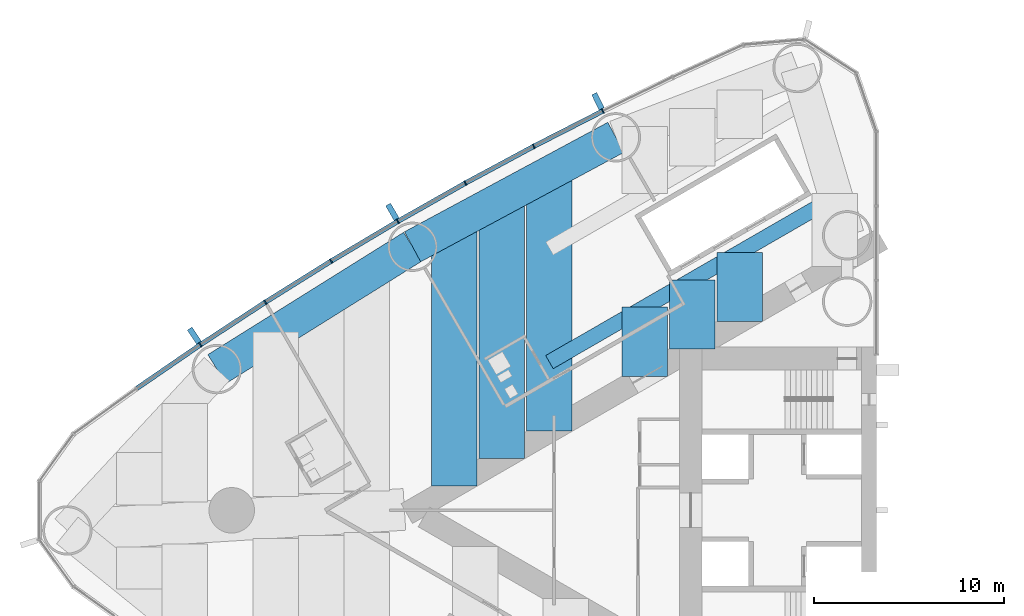
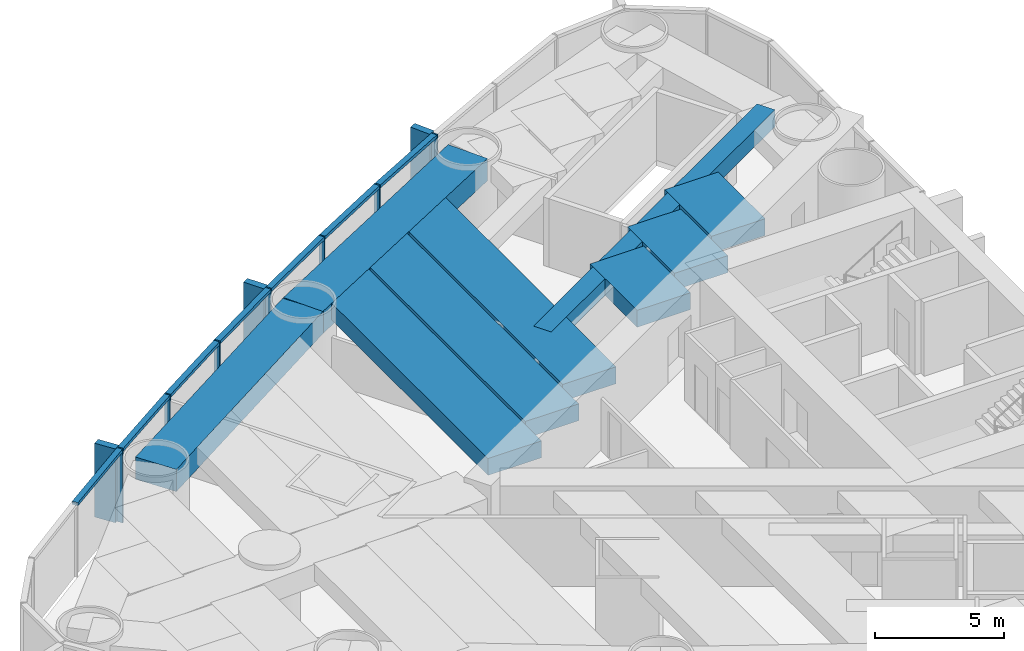
# One storey, part 4 of 18: 17 members, 9 beams, 1 element without a shape of its own.
"""IFC4 building model written with IfcOpenShell, lengths in metres."""

import ifcopenshell
import ifcopenshell.guid

model = None  # the IFC model being written
_history = None  # IfcOwnerHistory: only IFC2X3 demands one
_inside = {}  # id of a spatial element -> (the spatial element, [elements in it])
_under = {}  # id of a project, library or spatial element -> (it, [spatial elements below it])
_declared = {}  # id of a project -> (the project, [libraries it declares])
_typed = {}  # id of a type object -> (the type object, [elements of that type])
_made_of = {}  # id of a material, layer set ... -> (it, [elements and type objects made of it])


def new_model(schema):
    """Start an empty IFC model of exactly this schema.

    Asked for "IFC4X3", IfcOpenShell would pick the latest addendum, in which some entities
    have other attributes; the version numbers below select the first issue.
    IFC2X3 requires an IfcOwnerHistory on every rooted entity: one is made here for all.
    """
    global model, _history
    if schema == "IFC4X3":
        model = ifcopenshell.file(schema_version=(4, 3, 0, 0))
    else:
        model = ifcopenshell.file(schema=schema)
    _inside.clear()
    _under.clear()
    _declared.clear()
    _typed.clear()
    _made_of.clear()
    _history = None
    if model.schema == "IFC2X3":
        org = make("IfcOrganization", Name="unknown")
        user = make(
            "IfcPersonAndOrganization",
            ThePerson=make("IfcPerson", FamilyName="unknown"),
            TheOrganization=org,
        )
        app = make(
            "IfcApplication",
            ApplicationDeveloper=org,
            Version="unknown",
            ApplicationFullName="unknown",
            ApplicationIdentifier="unknown",
        )
        _history = make(
            "IfcOwnerHistory",
            OwningUser=user,
            OwningApplication=app,
            ChangeAction="ADDED",
            CreationDate=0,
        )
    return model


def make(cls, **values):
    """One entity of the class cls with the attributes given. An attribute that is None is left unset."""
    return model.create_entity(
        cls, **{name: value for name, value in values.items() if value is not None}
    )


def rooted(cls, **values):
    """An entity with a GlobalId (a new one), such as an element, a storey or a relation."""
    return make(cls, GlobalId=ifcopenshell.guid.new(), OwnerHistory=_history, **values)


def si_unit(unit_type, name, prefix=None):
    """IfcSIUnit, for example si_unit("LENGTHUNIT", "METRE", prefix="MILLI")."""
    return make("IfcSIUnit", UnitType=unit_type, Prefix=prefix, Name=name)


def assignment(units):
    """IfcUnitAssignment: the units of a project."""
    return None if units is None else make("IfcUnitAssignment", Units=units)


def point(xyz):
    """IfcCartesianPoint."""
    return None if xyz is None else make("IfcCartesianPoint", Coordinates=xyz)


def direction(xyz):
    """IfcDirection."""
    return None if xyz is None else make("IfcDirection", DirectionRatios=xyz)


def frame(location, z_axis=None, x_axis=None):
    """IfcAxis2Placement3D, a coordinate frame: its origin and axes. An axis left out is left unset."""
    return make(
        "IfcAxis2Placement3D",
        Location=point(location),
        Axis=direction(z_axis),
        RefDirection=direction(x_axis),
    )


def frame_2d(location, x_axis=None):
    """IfcAxis2Placement2D, a coordinate frame in the plane: its origin and x axis."""
    return make(
        "IfcAxis2Placement2D", Location=point(location), RefDirection=direction(x_axis)
    )


def origin():
    """The frame at (0, 0, 0) with its axes left unset."""
    return frame((0.0, 0.0, 0.0))


def origin_2d():
    """The frame at (0, 0) in the plane with its x axis left unset."""
    return frame_2d((0.0, 0.0))


def place(relative_to, where):
    """IfcLocalPlacement: puts the frame where relative to a parent placement (None: the world)."""
    return make(
        "IfcLocalPlacement", PlacementRelTo=relative_to, RelativePlacement=where
    )


def context(
    kind, dimensions, precision=None, world=None, true_north=None, identifier=None
):
    """IfcGeometricRepresentationContext, for example the 3D "Model" context."""
    return make(
        "IfcGeometricRepresentationContext",
        ContextIdentifier=identifier,
        ContextType=kind,
        CoordinateSpaceDimension=dimensions,
        Precision=precision,
        WorldCoordinateSystem=world,
        TrueNorth=true_north,
    )


def subcontext(parent, identifier, kind, view, scale=None):
    """IfcGeometricRepresentationSubContext, for example "Body" below "Model"."""
    return make(
        "IfcGeometricRepresentationSubContext",
        ContextIdentifier=identifier,
        ContextType=kind,
        ParentContext=parent,
        TargetScale=scale,
        TargetView=view,
    )


def project(units=None, contexts=None):
    """IfcProject with its units and contexts."""
    return rooted(
        "IfcProject",
        Name="project",
        RepresentationContexts=contexts,
        UnitsInContext=assignment(units),
    )


def spatial(cls, under=None, at=None, **own):
    """A site, building, storey or space (cls), placed at a placement, below another one or the project."""
    s = rooted(cls, ObjectPlacement=at, **own)
    if under is not None:
        _under.setdefault(under.id(), (under, []))[1].append(s)
    return s


def profile(cls, at=None, kind="AREA", **sizes):
    """A parametric profile (cls). Its sizes go by their IFC names, for example OverallWidth=200.0."""
    return make(cls, ProfileType=kind, Position=at, **sizes)


def rectangle(**sizes):
    """IfcRectangleProfileDef."""
    return profile("IfcRectangleProfileDef", **sizes)


def hollow_rectangle(**sizes):
    """IfcRectangleHollowProfileDef."""
    return profile("IfcRectangleHollowProfileDef", **sizes)


def extrude(swept, where, along, depth):
    """IfcExtrudedAreaSolid: the profile swept, set in the frame where, extruded along a direction by depth."""
    return make(
        "IfcExtrudedAreaSolid",
        SweptArea=swept,
        Position=where,
        ExtrudedDirection=direction(along),
        Depth=depth,
    )


def shape(context_of_items, identifier, shape_type, items):
    """IfcShapeRepresentation: the items that make up one representation, for example the "Body"."""
    return make(
        "IfcShapeRepresentation",
        ContextOfItems=context_of_items,
        RepresentationIdentifier=identifier,
        RepresentationType=shape_type,
        Items=items,
    )


def material(Name=None, Category=None):
    """IfcMaterial."""
    return make("IfcMaterial", Name=Name, Category=Category)


def material_profile(
    of_material, cross_section, Name=None, Category=None, Priority=None
):
    """IfcMaterialProfile: a cross section and its material."""
    return make(
        "IfcMaterialProfile",
        Name=Name,
        Material=of_material,
        Profile=cross_section,
        Priority=Priority,
        Category=Category,
    )


def profile_set(profiles, Name=None, composite=None):
    """IfcMaterialProfileSet."""
    return make(
        "IfcMaterialProfileSet",
        Name=Name,
        MaterialProfiles=profiles,
        CompositeProfile=composite,
    )


def made_of(thing, what):
    """Note that an element or type object is made of a material, layer set ...; save() writes the relation."""
    if what is not None:
        _made_of.setdefault(what.id(), (what, []))[1].append(thing)
    return thing


def type_object(cls, material=None, **own):
    """A type object (cls), such as IfcWallType, which elements share."""
    return made_of(rooted(cls, **own), material)


def element(
    cls,
    number,
    at=None,
    inside=None,
    cuts=None,
    type_object=None,
    material=None,
    context=None,
    identifier="Body",
    shape_type=None,
    held_by="IfcProductDefinitionShape",
    body=None,
    shapes=None,
    **own,
):
    """One element of the class cls, such as IfcWall. Its Tag is "e" and its number.

    at: its placement. inside: the storey or other place that contains it. cuts: it is an
    opening in that element (IfcRelVoidsElement). A single representation is given by context,
    identifier, shape_type and body (its items); several are given by shapes. held_by: the class
    of the entity that holds the representations. save() writes the other relations.
    """
    e = rooted(cls, Tag="e%d" % number, ObjectPlacement=at, **own)
    if body is not None:
        shapes = [shape(context, identifier, shape_type, body)]
    if shapes is not None:
        e.Representation = make(held_by, Representations=shapes)
    if inside is not None:
        _inside.setdefault(inside.id(), (inside, []))[1].append(e)
    if cuts is not None:
        rooted(
            "IfcRelVoidsElement", RelatingBuildingElement=cuts, RelatedOpeningElement=e
        )
    if type_object is not None:
        _typed.setdefault(type_object.id(), (type_object, []))[1].append(e)
    return made_of(e, material)


def aggregate(whole, parts):
    """IfcRelAggregates: a whole, such as a stair, and the parts it consists of."""
    return rooted("IfcRelAggregates", RelatingObject=whole, RelatedObjects=parts)


def save(model, path):
    """Write the relations noted so far, then the file.

    IfcRelAggregates (storeys below a building ...), IfcRelContainedInSpatialStructure (elements
    in a storey), IfcRelDefinesByType, IfcRelAssociatesMaterial and IfcRelDeclares: one each for
    every whole, place, type object, material and project.
    """
    for whole, parts in _under.values():
        aggregate(whole, parts)
    for where, things in _inside.values():
        rooted(
            "IfcRelContainedInSpatialStructure",
            RelatedElements=things,
            RelatingStructure=where,
        )
    for kind, things in _typed.values():
        rooted("IfcRelDefinesByType", RelatedObjects=things, RelatingType=kind)
    for what, things in _made_of.values():
        rooted("IfcRelAssociatesMaterial", RelatedObjects=things, RelatingMaterial=what)
    for by, libraries in _declared.values():
        rooted("IfcRelDeclares", RelatingContext=by, RelatedDefinitions=libraries)
    model.write(path)


model = new_model("IFC4")

# Units and contexts
model_context = context("Model", 3, precision=1e-05, world=origin(), true_north=direction((0.0, 1.0)))
body_context = subcontext(model_context, "Body", "Model", "MODEL_VIEW")
ifc_project = project(units=[si_unit("LENGTHUNIT", "METRE"), si_unit("AREAUNIT", "SQUARE_METRE"), si_unit("VOLUMEUNIT", "CUBIC_METRE"), si_unit("PLANEANGLEUNIT", "RADIAN"), si_unit("MASSUNIT", "GRAM", prefix="KILO")], contexts=[model_context])

# Site, building, storey
site_placement = place(None, origin())
site = spatial("IfcSite", under=ifc_project, at=site_placement, CompositionType="ELEMENT")
building_placement = place(site_placement, origin())
building = spatial("IfcBuilding", under=site, at=building_placement, Name="Lancet Gate Hotel", CompositionType="ELEMENT")
storey_placement = place(building_placement, frame((0.0, 0.0, 129.10009765625)))
storey = spatial("IfcBuildingStorey", under=building, at=storey_placement, Name="L34", CompositionType="ELEMENT", Elevation=129.10009765625)

# Curtain wall, members
ifc_material_1 = material(Name="Aluminium curtain wall", Category="aluminium")
curtain_wall_type = type_object("IfcCurtainWallType", Name="Tower unitised curtain wall", PredefinedType="USERDEFINED", material=ifc_material_1)
curtain_wall_placement = place(storey_placement, origin())
curtain_wall = element("IfcCurtainWall", 1, at=curtain_wall_placement, inside=storey, type_object=curtain_wall_type, Name="T1 L34 curtain wall 1", ObjectType="UNITISED CURTAIN WALL", PredefinedType="USERDEFINED")
ifc_material_2 = material(Name="Aluminium mullion", Category="aluminium")
ifc_material_profile_1 = material_profile(ifc_material_2, rectangle(XDim=0.06494140625, YDim=0.25, at=origin_2d()), Name="MULLION 65x250")
ifc_profile_set_1 = profile_set([ifc_material_profile_1], Name="Aluminium mullion")
member_type_1 = type_object("IfcMemberType", Name="Aluminium mullion 65x250", PredefinedType="MULLION", material=ifc_profile_set_1)
member_1_placement = place(storey_placement, frame((-41.935302734375, 21.053466796875, 0.0), z_axis=(0.0, 0.0, 1.0), x_axis=(-0.895339445458, -0.445384415317, 0.0)))
member_1 = element("IfcMember", 2, at=member_1_placement, type_object=member_type_1, Name="T1 L34 curtain wall 1 mullion 9", PredefinedType="MULLION", context=body_context, shape_type="SweptSolid", body=[
    extrude(rectangle(XDim=0.06494140625, YDim=0.25, at=origin_2d()), origin(), (0.0, 0.0, 1.0), 3.5),
])
member_2_placement = place(storey_placement, frame((-45.578857421875, 19.19189453125, 0.0), z_axis=(0.0, 0.0, 1.0), x_axis=(-0.885544335517, -0.46455487279, 0.0)))
member_2 = element("IfcMember", 3, at=member_2_placement, type_object=member_type_1, Name="T1 L34 curtain wall 1 mullion 10", PredefinedType="MULLION", context=body_context, shape_type="SweptSolid", body=[
    extrude(rectangle(XDim=0.06494140625, YDim=0.25, at=origin_2d()), origin(), (0.0, 0.0, 1.0), 3.5),
])
member_3_placement = place(storey_placement, frame((-49.181640625, 17.252197265625, 0.0), z_axis=(0.0, 0.0, 1.0), x_axis=(-0.875338819507, -0.48351003202, 0.0)))
member_3 = element("IfcMember", 4, at=member_3_placement, type_object=member_type_1, Name="T1 L34 curtain wall 1 mullion 11", PredefinedType="MULLION", context=body_context, shape_type="SweptSolid", body=[
    extrude(rectangle(XDim=0.06494140625, YDim=0.25, at=origin_2d()), origin(), (0.0, 0.0, 1.0), 3.5),
])
member_4_placement = place(storey_placement, frame((-52.74169921875, 15.2353515625, 0.0), z_axis=(0.0, 0.0, 1.0), x_axis=(-0.86472762718, -0.502241108226, 0.0)))
member_4 = element("IfcMember", 5, at=member_4_placement, type_object=member_type_1, Name="T1 L34 curtain wall 1 mullion 12", PredefinedType="MULLION", context=body_context, shape_type="SweptSolid", body=[
    extrude(rectangle(XDim=0.06494140625, YDim=0.25, at=origin_2d()), origin(), (0.0, 0.0, 1.0), 3.5),
])
member_5_placement = place(storey_placement, frame((-56.257568359375, 13.142333984375, 0.0), z_axis=(0.0, 0.0, 1.0), x_axis=(-0.853715676299, -0.52073942048, 0.0)))
member_5 = element("IfcMember", 6, at=member_5_placement, type_object=member_type_1, Name="T1 L34 curtain wall 1 mullion 13", PredefinedType="MULLION", context=body_context, shape_type="SweptSolid", body=[
    extrude(rectangle(XDim=0.06494140625, YDim=0.25, at=origin_2d()), origin(), (0.0, 0.0, 1.0), 3.5),
])
member_6_placement = place(storey_placement, frame((-59.7275390625, 10.974365234375, 0.0), z_axis=(0.0, 0.0, 1.0), x_axis=(-0.84230807036, -0.538996395727, 0.0)))
member_6 = element("IfcMember", 7, at=member_6_placement, type_object=member_type_1, Name="T1 L34 curtain wall 1 mullion 14", PredefinedType="MULLION", context=body_context, shape_type="SweptSolid", body=[
    extrude(rectangle(XDim=0.06494140625, YDim=0.25, at=origin_2d()), origin(), (0.0, 0.0, 1.0), 3.5),
])
member_7_placement = place(storey_placement, frame((-63.14990234375, 8.73193359375, 0.0), z_axis=(0.0, 0.0, 1.0), x_axis=(-0.830510096234, -0.557003572747, 0.0)))
member_7 = element("IfcMember", 8, at=member_7_placement, type_object=member_type_1, Name="T1 L34 curtain wall 1 mullion 15", PredefinedType="MULLION", context=body_context, shape_type="SweptSolid", body=[
    extrude(rectangle(XDim=0.06494140625, YDim=0.25, at=origin_2d()), origin(), (0.0, 0.0, 1.0), 3.5),
])
ifc_material_3 = material(Name="Aluminium transom", Category="aluminium")
ifc_material_profile_2 = material_profile(ifc_material_3, rectangle(XDim=0.25, YDim=0.14990234375, at=origin_2d()), Name="TRANSOM 250x150")
ifc_profile_set_2 = profile_set([ifc_material_profile_2], Name="Aluminium transom")
member_type_2 = type_object("IfcMemberType", Name="Aluminium transom 250x150", PredefinedType="USERDEFINED", material=ifc_profile_set_2)
member_8_placement = place(storey_placement, frame((-41.96435546875, 21.038818359375, 3.4248046875), z_axis=(-0.89047617483, -0.455029869415, 0.0), x_axis=(0.455029869415, -0.89047617483, 0.0)))
member_8 = element("IfcMember", 9, at=member_8_placement, type_object=member_type_2, Name="T1 L34 curtain wall 1 transom 9", ObjectType="TRANSOM", PredefinedType="USERDEFINED", context=body_context, shape_type="SweptSolid", body=[
    extrude(rectangle(XDim=0.25, YDim=0.14990234375, at=origin_2d()), origin(), (0.0, 0.0, 1.0), 4.026611328125),
])
member_9_placement = place(storey_placement, frame((-45.607421875, 19.176513671875, 3.4248046875), z_axis=(-0.880498353192, -0.474049206335, 0.0), x_axis=(0.474049206335, -0.880498353192, 0.0)))
member_9 = element("IfcMember", 10, at=member_9_placement, type_object=member_type_2, Name="T1 L34 curtain wall 1 transom 10", ObjectType="TRANSOM", PredefinedType="USERDEFINED", context=body_context, shape_type="SweptSolid", body=[
    extrude(rectangle(XDim=0.25, YDim=0.14990234375, at=origin_2d()), origin(), (0.0, 0.0, 1.0), 4.02685546875),
])
member_10_placement = place(storey_placement, frame((-49.2099609375, 17.236083984375, 3.4248046875), z_axis=(-0.870091531013, -0.492890178091, 0.0), x_axis=(0.492890178091, -0.870091531013, 0.0)))
member_10 = element("IfcMember", 11, at=member_10_placement, type_object=member_type_2, Name="T1 L34 curtain wall 1 transom 11", ObjectType="TRANSOM", PredefinedType="USERDEFINED", context=body_context, shape_type="SweptSolid", body=[
    extrude(rectangle(XDim=0.25, YDim=0.14990234375, at=origin_2d()), origin(), (0.0, 0.0, 1.0), 4.026611328125),
])
member_11_placement = place(storey_placement, frame((-52.76953125, 15.21875, 3.4248046875), z_axis=(-0.859285270342, -0.511496651186, 0.0), x_axis=(0.511496651186, -0.859285270342, 0.0)))
member_11 = element("IfcMember", 12, at=member_11_placement, type_object=member_type_2, Name="T1 L34 curtain wall 1 transom 12", ObjectType="TRANSOM", PredefinedType="USERDEFINED", context=body_context, shape_type="SweptSolid", body=[
    extrude(rectangle(XDim=0.25, YDim=0.14990234375, at=origin_2d()), origin(), (0.0, 0.0, 1.0), 4.026611328125),
])
member_12_placement = place(storey_placement, frame((-56.28515625, 13.125244140625, 3.4248046875), z_axis=(-0.848049393821, -0.529917187531, 0.0), x_axis=(0.529917187531, -0.848049393821, 0.0)))
member_12 = element("IfcMember", 13, at=member_12_placement, type_object=member_type_2, Name="T1 L34 curtain wall 1 transom 13", ObjectType="TRANSOM", PredefinedType="USERDEFINED", context=body_context, shape_type="SweptSolid", body=[
    extrude(rectangle(XDim=0.25, YDim=0.14990234375, at=origin_2d()), origin(), (0.0, 0.0, 1.0), 4.026611328125),
])
member_13_placement = place(storey_placement, frame((-59.754638671875, 10.95654296875, 3.4248046875), z_axis=(-0.83645442085, -0.548036496815, 0.0), x_axis=(0.548036496815, -0.83645442085, 0.0)))
member_13 = element("IfcMember", 14, at=member_13_placement, type_object=member_type_2, Name="T1 L34 curtain wall 1 transom 14", ObjectType="TRANSOM", PredefinedType="USERDEFINED", context=body_context, shape_type="SweptSolid", body=[
    extrude(rectangle(XDim=0.25, YDim=0.14990234375, at=origin_2d()), origin(), (0.0, 0.0, 1.0), 4.026611328125),
])
member_14_placement = place(storey_placement, frame((-63.1767578125, 8.713623046875, 3.4248046875), z_axis=(-0.824455665247, -0.565926546508, 0.0), x_axis=(0.565926546508, -0.824455665247, 0.0)))
member_14 = element("IfcMember", 15, at=member_14_placement, type_object=member_type_2, Name="T1 L34 curtain wall 1 transom 15", ObjectType="TRANSOM", PredefinedType="USERDEFINED", context=body_context, shape_type="SweptSolid", body=[
    extrude(rectangle(XDim=0.25, YDim=0.14990234375, at=origin_2d()), origin(), (0.0, 0.0, 1.0), 4.026611328125),
])

# Beams
ifc_material_4 = material(Name="Concrete C50/60", Category="concrete")
ifc_material_profile_3 = material_profile(ifc_material_4, rectangle(XDim=1.800048828125, YDim=1.050048828125, at=origin_2d()), Name="RC 1800x1050")
ifc_profile_set_3 = profile_set([ifc_material_profile_3], Name="Concrete C50/60")
beam_type_1 = type_object("IfcBeamType", Name="Edge beam RC 1800x1050", PredefinedType="SPANDREL", material=ifc_profile_set_3)
for number, where, z_axis, x_axis, name in (
    (16, (-41.244873046875, 19.665771484375, 2.724853515625), (-0.880492350889, -0.474060354835, 0.0), (0.474060354835, -0.880492350889, 0.0), "T1 edge beam EB1 L34"),
    (17, (-51.963134765625, 13.89501953125, 2.724853515625), (-0.848062521637, -0.529896177939, 0.0), (0.529896177939, -0.848062521637, 0.0), "T1 edge beam EB1 L34"),
):
    element("IfcBeam", number, at=place(storey_placement, frame(where, z_axis=z_axis, x_axis=x_axis)), inside=storey, type_object=beam_type_1, Name=name, PredefinedType="SPANDREL", context=body_context, shape_type="SweptSolid", body=[
        extrude(rectangle(XDim=1.800048828125, YDim=1.050048828125, at=origin_2d()), origin(), (0.0, 0.0, 1.0), 12.173095703125),
    ])

# Member
ifc_material_5 = material(Name="Precast concrete C50/60", Category="concrete")
ifc_material_profile_4 = material_profile(ifc_material_5, rectangle(XDim=0.300048828125, YDim=0.89990234375, at=origin_2d()), Name="FIN 300x900")
ifc_profile_set_4 = profile_set([ifc_material_profile_4], Name="Precast concrete C50/60")
member_type_3 = type_object("IfcMemberType", Name="Exposed concrete fin 300x900", PredefinedType="USERDEFINED", material=ifc_profile_set_4)
member_15_placement = place(storey_placement, frame((-42.19140625, 21.568359375, 0.0), z_axis=(0.0, 0.0, 1.0), x_axis=(-0.895339445458, -0.445384415317, 0.0)))
member_15 = element("IfcMember", 18, at=member_15_placement, type_object=member_type_3, Name="T1 L34 curtain wall 1 fin 9", ObjectType="FIN", PredefinedType="USERDEFINED", context=body_context, shape_type="SweptSolid", body=[
    extrude(rectangle(XDim=0.300048828125, YDim=0.89990234375, at=origin_2d()), origin(), (0.0, 0.0, 1.0), 3.5),
])

member_16_placement = place(storey_placement, frame((-53.030517578125, 15.732666015625, 0.0), z_axis=(0.0, 0.0, 1.0), x_axis=(-0.86472762718, -0.502241108226, 0.0)))
member_16 = element("IfcMember", 19, at=member_16_placement, type_object=member_type_3, Name="T1 L34 curtain wall 1 fin 12", ObjectType="FIN", PredefinedType="USERDEFINED", context=body_context, shape_type="SweptSolid", body=[
    extrude(rectangle(XDim=0.300048828125, YDim=0.89990234375, at=origin_2d()), origin(), (0.0, 0.0, 1.0), 3.5),
])

member_17_placement = place(storey_placement, frame((-63.47021484375, 9.20947265625, 0.0), z_axis=(0.0, 0.0, 1.0), x_axis=(-0.830510096234, -0.557003572747, 0.0)))
member_17 = element("IfcMember", 20, at=member_17_placement, type_object=member_type_3, Name="T1 L34 curtain wall 1 fin 15", ObjectType="FIN", PredefinedType="USERDEFINED", context=body_context, shape_type="SweptSolid", body=[
    extrude(rectangle(XDim=0.300048828125, YDim=0.89990234375, at=origin_2d()), origin(), (0.0, 0.0, 1.0), 3.5),
])

aggregate(curtain_wall, [member_1, member_15, member_2, member_3, member_4, member_16, member_5, member_6, member_7, member_17, member_8, member_9, member_10, member_11, member_12, member_13, member_14])

# Beams
ifc_material_6 = material(Name="Concrete C50/60", Category="concrete")
ifc_material_profile_5 = material_profile(ifc_material_6, rectangle(XDim=2.39990234375, YDim=0.800048828125, at=origin_2d()), Name="RC 2400x800")
ifc_profile_set_5 = profile_set([ifc_material_profile_5], Name="Concrete C50/60")
beam_type_2 = type_object("IfcBeamType", Name="Floor beam RC 2400x800", PredefinedType="BEAM", material=ifc_profile_set_5)
beam_1_placement = place(storey_placement, frame((-44.747802734375, 17.77978515625, 2.849853515625), z_axis=(0.0, -1.0, 0.0), x_axis=(1.0, 0.0, 0.0)))
element("IfcBeam", 21, at=beam_1_placement, inside=storey, type_object=beam_type_2, Name="T1 floor beam F09S L34", PredefinedType="BEAM", context=body_context, shape_type="SweptSolid", body=[
    extrude(rectangle(XDim=2.39990234375, YDim=0.800048828125, at=origin_2d()), origin(), (0.0, 0.0, 1.0), 13.611083984375),
])
beam_2_placement = place(storey_placement, frame((-47.254638671875, 16.43017578125, 2.849853515625), z_axis=(0.0, -1.0, 0.0), x_axis=(1.0, 0.0, 0.0)))
element("IfcBeam", 22, at=beam_2_placement, inside=storey, type_object=beam_type_2, Name="T1 floor beam F10S L34", PredefinedType="BEAM", context=body_context, shape_type="SweptSolid", body=[
    extrude(rectangle(XDim=2.39990234375, YDim=0.800048828125, at=origin_2d()), origin(), (0.0, 0.0, 1.0), 13.708740234375),
])
beam_3_placement = place(storey_placement, frame((-49.761474609375, 15.08056640625, 2.849853515625), z_axis=(0.0, -1.0, 0.0), x_axis=(1.0, 0.0, 0.0)))
element("IfcBeam", 23, at=beam_3_placement, inside=storey, type_object=beam_type_2, Name="T1 floor beam F12S L34", PredefinedType="BEAM", context=body_context, shape_type="SweptSolid", body=[
    extrude(rectangle(XDim=2.39990234375, YDim=0.800048828125, at=origin_2d()), origin(), (0.0, 0.0, 1.0), 13.806396484375),
])
beam_4_placement = place(storey_placement, frame((-34.720458984375, 13.603759765625, 2.849853515625), z_axis=(0.0, -1.0, 0.0), x_axis=(1.0, 0.0, 0.0)))
element("IfcBeam", 24, at=beam_4_placement, inside=storey, type_object=beam_type_2, Name="T1 floor beam F04SB L34", PredefinedType="BEAM", context=body_context, shape_type="SweptSolid", body=[
    extrude(rectangle(XDim=2.39990234375, YDim=0.800048828125, at=origin_2d()), origin(), (0.0, 0.0, 1.0), 3.645751953125),
])
beam_5_placement = place(storey_placement, frame((-37.227294921875, 12.15625, 2.849853515625), z_axis=(0.0, -1.0, 0.0), x_axis=(1.0, 0.0, 0.0)))
element("IfcBeam", 25, at=beam_5_placement, inside=storey, type_object=beam_type_2, Name="T1 floor beam F05SB L34", PredefinedType="BEAM", context=body_context, shape_type="SweptSolid", body=[
    extrude(rectangle(XDim=2.39990234375, YDim=0.800048828125, at=origin_2d()), origin(), (0.0, 0.0, 1.0), 3.6455078125),
])
beam_6_placement = place(storey_placement, frame((-39.734130859375, 10.708740234375, 2.849853515625), z_axis=(0.0, -1.0, 0.0), x_axis=(1.0, 0.0, 0.0)))
element("IfcBeam", 26, at=beam_6_placement, inside=storey, type_object=beam_type_2, Name="T1 floor beam F07SB L34", PredefinedType="BEAM", context=body_context, shape_type="SweptSolid", body=[
    extrude(rectangle(XDim=2.39990234375, YDim=0.800048828125, at=origin_2d()), origin(), (0.0, 0.0, 1.0), 3.645263671875),
])
ifc_material_7 = material(Name="Steel S460QL", Category="steel")
ifc_material_profile_6 = material_profile(ifc_material_7, hollow_rectangle(XDim=0.800048828125, YDim=0.800048828125, WallThickness=0.080078125, at=origin_2d()), Name="BOX 800x800x80")
ifc_profile_set_6 = profile_set([ifc_material_profile_6], Name="Steel S460QL")
beam_type_3 = type_object("IfcBeamType", Name="Trimmer beam BOX 800x800x80", PredefinedType="BEAM", material=ifc_profile_set_6)
beam_7_placement = place(storey_placement, frame((-29.706787109375, 16.49853515625, 2.849853515625), z_axis=(-0.866003462672, -0.500038001195, 0.0), x_axis=(0.500038001195, -0.866003462672, 0.0)))
element("IfcBeam", 27, at=beam_7_placement, inside=storey, type_object=beam_type_3, Name="T1 trimmer beam TR02S L34", PredefinedType="BEAM", context=body_context, shape_type="SweptSolid", body=[
    extrude(hollow_rectangle(XDim=0.800048828125, YDim=0.800048828125, WallThickness=0.080078125, at=origin_2d()), origin(), (0.0, 0.0, 1.0), 17.368408203125),
])

save(model, "model.ifc")
